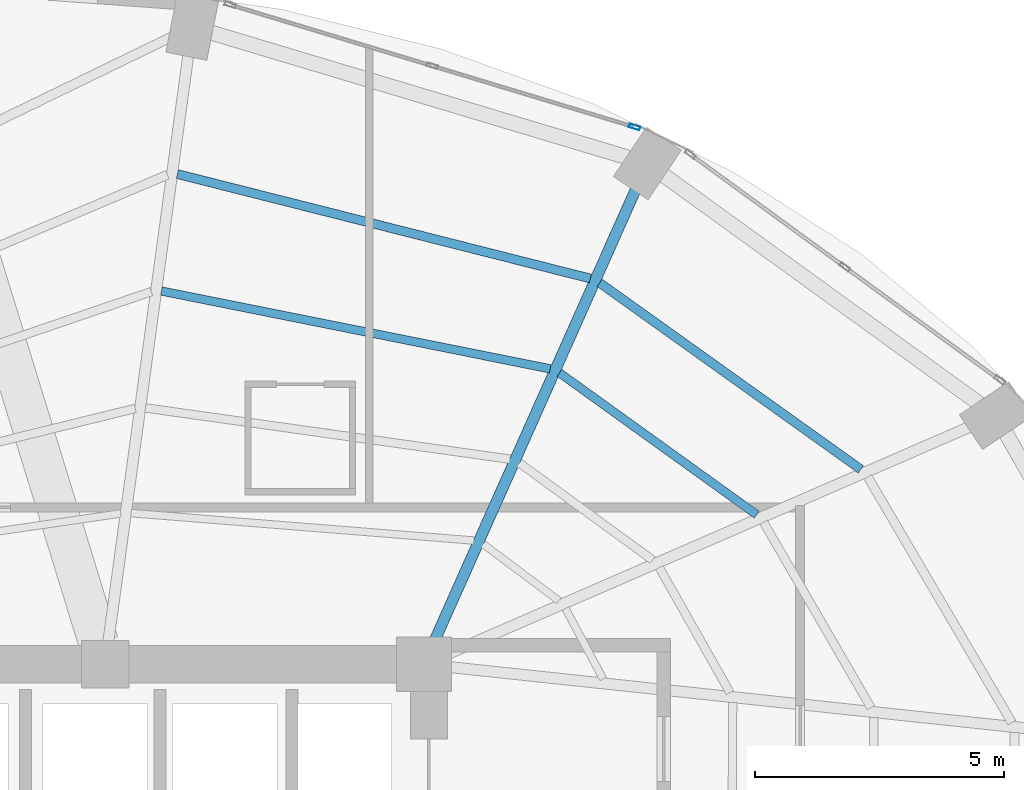
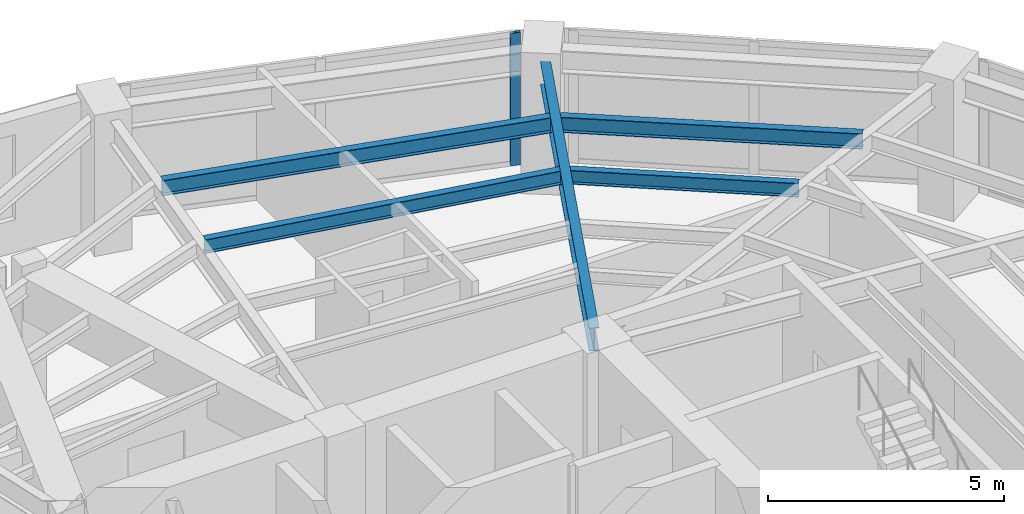
# One storey, part 17 of 24: 5 beams, 1 member, 1 element without a shape of its own.
"""IFC4 building model written with IfcOpenShell, lengths in metres."""

from ifc_helpers import new_model, si_unit, direction, frame, origin, origin_2d, place, context, subcontext, project, spatial, hollow_rectangle, i_section, extrude, material, layer, layer_set, material_profile, profile_set, type_object, element, aggregate, save


model = new_model("IFC4")

# Units and contexts
model_context = context("Model", 3, precision=1e-05, world=origin(), true_north=direction((0.0, 1.0)))
body_context = subcontext(model_context, "Body", "Model", "MODEL_VIEW")
ifc_project = project(units=[si_unit("LENGTHUNIT", "METRE"), si_unit("AREAUNIT", "SQUARE_METRE"), si_unit("VOLUMEUNIT", "CUBIC_METRE"), si_unit("PLANEANGLEUNIT", "RADIAN"), si_unit("MASSUNIT", "GRAM", prefix="KILO")], contexts=[model_context])

# Site, building, storey
site_placement = place(None, origin())
site = spatial("IfcSite", under=ifc_project, at=site_placement, CompositionType="ELEMENT")
building_placement = place(site_placement, origin())
building = spatial("IfcBuilding", under=site, at=building_placement, Name="Lazwardi Medical Tower", CompositionType="ELEMENT")
storey_placement = place(building_placement, frame((0.0, 0.0, 118.22412109375)))
storey = spatial("IfcBuildingStorey", under=building, at=storey_placement, Name="L30", CompositionType="ELEMENT", Elevation=118.22412109375)

# Beams
ifc_material_1 = material(Name="Steel S355", Category="steel")
ifc_material_profile_1 = material_profile(ifc_material_1, i_section(OverallWidth=0.219970703125, OverallDepth=0.60009765625, WebThickness=0.011962890625, FlangeThickness=0.01904296875, at=origin_2d()), Name="IPE 600")
ifc_profile_set_1 = profile_set([ifc_material_profile_1], Name="Steel S355")
beam_type_1 = type_object("IfcBeamType", Name="BM-RG-W1", PredefinedType="BEAM", material=ifc_profile_set_1)
beam_1_placement = place(storey_placement, frame((49.847412109375, 45.127685546875, 3.1279296875), z_axis=(-0.407165924957, -0.913354208155, 0.0), x_axis=(0.913354208155, -0.407165924957, 0.0)))
element("IfcBeam", 1, at=beam_1_placement, inside=storey, type_object=beam_type_1, Name="Radial girder RG-02 R07 L30", PredefinedType="BEAM", context=body_context, shape_type="SweptSolid", body=[
    extrude(i_section(OverallWidth=0.219970703125, OverallDepth=0.60009765625, WebThickness=0.011962890625, FlangeThickness=0.01904296875, at=origin_2d()), origin(), (0.0, 0.0, 1.0), 9.896484375),
])
ifc_material_profile_2 = material_profile(ifc_material_1, i_section(OverallWidth=0.179931640625, OverallDepth=0.39990234375, WebThickness=0.008544921875, FlangeThickness=0.013427734375, at=origin_2d()), Name="IPE 400")
ifc_profile_set_2 = profile_set([ifc_material_profile_2], Name="Steel S355")
beam_type_2 = type_object("IfcBeamType", Name="BM-SJ-01", PredefinedType="JOIST", material=ifc_profile_set_2)
beam_2_placement = place(storey_placement, frame((54.369384765625, 39.514404296875, 3.227783203125), z_axis=(-0.813748834317, 0.581216684763, 0.0), x_axis=(-0.581216684763, -0.813748834317, 0.0)))
element("IfcBeam", 2, at=beam_2_placement, inside=storey, type_object=beam_type_2, Name="Secondary joist SJ-01 R1 B06 L30", PredefinedType="JOIST", context=body_context, shape_type="SweptSolid", body=[
    extrude(i_section(OverallWidth=0.179931640625, OverallDepth=0.39990234375, WebThickness=0.008544921875, FlangeThickness=0.013427734375, at=origin_2d()), origin(), (0.0, 0.0, 1.0), 6.4423828125),
])
beam_3_placement = place(storey_placement, frame((48.939697265625, 43.345703125, 3.227783203125), z_axis=(-0.96945186753, 0.245281626997, 0.0), x_axis=(-0.245281626997, -0.96945186753, 0.0)))
element("IfcBeam", 3, at=beam_3_placement, inside=storey, type_object=beam_type_2, Name="Secondary joist SJ-01 R1 B07 L30", PredefinedType="JOIST", context=body_context, shape_type="SweptSolid", body=[
    extrude(i_section(OverallWidth=0.179931640625, OverallDepth=0.39990234375, WebThickness=0.008544921875, FlangeThickness=0.013427734375, at=origin_2d()), origin(), (0.0, 0.0, 1.0), 8.552978515625),
])
ifc_material_profile_3 = material_profile(ifc_material_1, i_section(OverallWidth=0.169921875, OverallDepth=0.360107421875, WebThickness=0.008056640625, FlangeThickness=0.0126953125, at=origin_2d()), Name="IPE 360")
ifc_profile_set_3 = profile_set([ifc_material_profile_3], Name="Steel S355")
beam_type_3 = type_object("IfcBeamType", Name="BM-SJ-02", PredefinedType="JOIST", material=ifc_profile_set_3)
beam_4_placement = place(storey_placement, frame((52.278564453125, 38.604736328125, 3.247802734375), z_axis=(-0.811888517177, 0.583812500446, 0.0), x_axis=(-0.583812500446, -0.811888517177, 0.0)))
element("IfcBeam", 4, at=beam_4_placement, inside=storey, type_object=beam_type_3, Name="Secondary joist SJ-02 R2 B06 L30", PredefinedType="JOIST", context=body_context, shape_type="SweptSolid", body=[
    extrude(i_section(OverallWidth=0.169921875, OverallDepth=0.360107421875, WebThickness=0.008056640625, FlangeThickness=0.0126953125, at=origin_2d()), origin(), (0.0, 0.0, 1.0), 4.874755859375),
])
beam_5_placement = place(storey_placement, frame((48.1328125, 41.53271484375, 3.247802734375), z_axis=(-0.980542906584, 0.196304886203, 0.0), x_axis=(-0.196304886203, -0.980542906584, 0.0)))
element("IfcBeam", 5, at=beam_5_placement, inside=storey, type_object=beam_type_3, Name="Secondary joist SJ-02 R2 B07 L30", PredefinedType="JOIST", context=body_context, shape_type="SweptSolid", body=[
    extrude(i_section(OverallWidth=0.169921875, OverallDepth=0.360107421875, WebThickness=0.008056640625, FlangeThickness=0.0126953125, at=origin_2d()), origin(), (0.0, 0.0, 1.0), 7.95947265625),
])

# Curtain wall, member
ifc_material_2 = material(Name="Anodised bronze aluminium and solar control glazing", Category="aluminium")
ifc_layer = layer(ifc_material_2, 0.195068359375)
ifc_layer_set = layer_set([ifc_layer], Name="Anodised bronze aluminium and solar control glazing")
curtain_wall_type = type_object("IfcCurtainWallType", Name="CW-SYS-03", PredefinedType="NOTDEFINED", material=ifc_layer_set)
curtain_wall_placement = place(storey_placement, origin())
curtain_wall = element("IfcCurtainWall", 6, at=curtain_wall_placement, inside=storey, type_object=curtain_wall_type, Name="L30 Unitised bronze curtain wall CW-03", PredefinedType="NOTDEFINED")
ifc_material_3 = material(Name="Anodised bronze aluminium", Category="aluminium")
ifc_material_profile_4 = material_profile(ifc_material_3, hollow_rectangle(XDim=0.074951171875, YDim=0.219970703125, WallThickness=0.00390625, at=origin_2d()), Name="ALU-MULLION 220x75x4")
ifc_profile_set_4 = profile_set([ifc_material_profile_4], Name="Anodised bronze aluminium")
member_type = type_object("IfcMemberType", Name="CW-MUL-01", PredefinedType="MULLION", material=ifc_profile_set_4)
member_placement = place(storey_placement, frame((49.828369140625, 46.385986328125, 0.0), z_axis=(0.0, 0.0, 1.0), x_axis=(-0.28937381157, -0.957216170558, 0.0)))
member = element("IfcMember", 7, at=member_placement, type_object=member_type, Name="CW-03 mullion 1", PredefinedType="MULLION", context=body_context, shape_type="SweptSolid", body=[
    extrude(hollow_rectangle(XDim=0.074951171875, YDim=0.219970703125, WallThickness=0.00390625, at=origin_2d()), origin(), (0.0, 0.0, 1.0), 3.427978515625),
])
aggregate(curtain_wall, [member])

save(model, "model.ifc")
